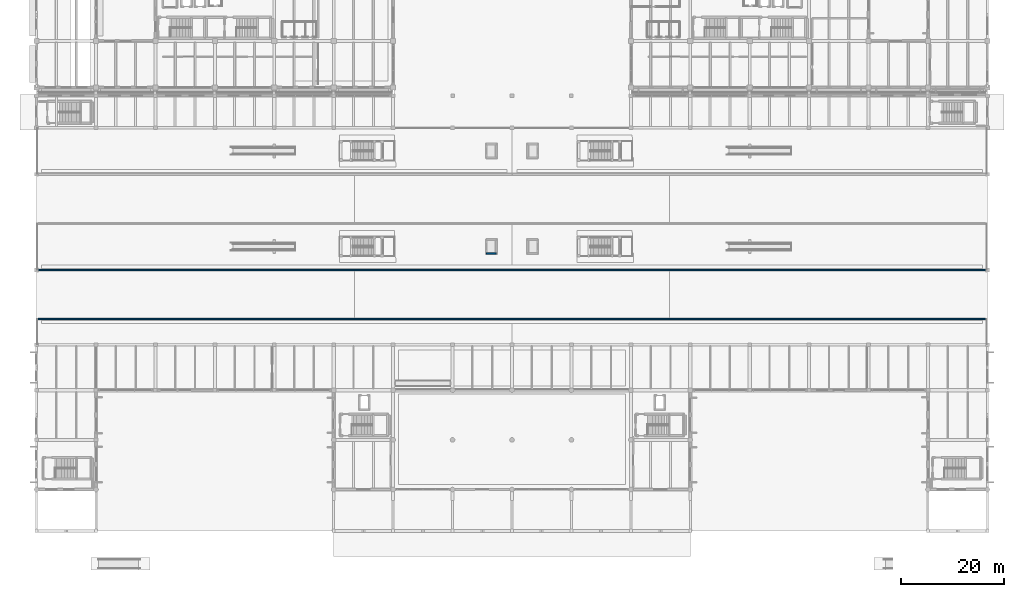
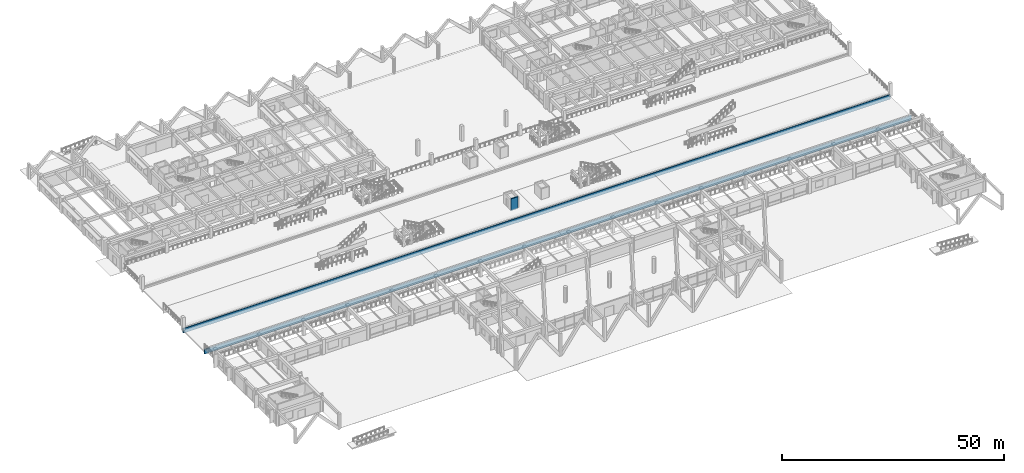
# One storey, part 79 of 109: 3 walls.
"""IFC4 building model written with IfcOpenShell, lengths in metres."""

import ifcopenshell
import ifcopenshell.guid

model = None  # the IFC model being written
_history = None  # IfcOwnerHistory: only IFC2X3 demands one
_inside = {}  # id of a spatial element -> (the spatial element, [elements in it])
_under = {}  # id of a project, library or spatial element -> (it, [spatial elements below it])
_declared = {}  # id of a project -> (the project, [libraries it declares])
_typed = {}  # id of a type object -> (the type object, [elements of that type])
_made_of = {}  # id of a material, layer set ... -> (it, [elements and type objects made of it])


def new_model(schema):
    """Start an empty IFC model of exactly this schema.

    Asked for "IFC4X3", IfcOpenShell would pick the latest addendum, in which some entities
    have other attributes; the version numbers below select the first issue.
    IFC2X3 requires an IfcOwnerHistory on every rooted entity: one is made here for all.
    """
    global model, _history
    if schema == "IFC4X3":
        model = ifcopenshell.file(schema_version=(4, 3, 0, 0))
    else:
        model = ifcopenshell.file(schema=schema)
    _inside.clear()
    _under.clear()
    _declared.clear()
    _typed.clear()
    _made_of.clear()
    _history = None
    if model.schema == "IFC2X3":
        org = make("IfcOrganization", Name="unknown")
        user = make(
            "IfcPersonAndOrganization",
            ThePerson=make("IfcPerson", FamilyName="unknown"),
            TheOrganization=org,
        )
        app = make(
            "IfcApplication",
            ApplicationDeveloper=org,
            Version="unknown",
            ApplicationFullName="unknown",
            ApplicationIdentifier="unknown",
        )
        _history = make(
            "IfcOwnerHistory",
            OwningUser=user,
            OwningApplication=app,
            ChangeAction="ADDED",
            CreationDate=0,
        )
    return model


def make(cls, **values):
    """One entity of the class cls with the attributes given. An attribute that is None is left unset."""
    return model.create_entity(
        cls, **{name: value for name, value in values.items() if value is not None}
    )


def rooted(cls, **values):
    """An entity with a GlobalId (a new one), such as an element, a storey or a relation."""
    return make(cls, GlobalId=ifcopenshell.guid.new(), OwnerHistory=_history, **values)


def si_unit(unit_type, name, prefix=None):
    """IfcSIUnit, for example si_unit("LENGTHUNIT", "METRE", prefix="MILLI")."""
    return make("IfcSIUnit", UnitType=unit_type, Prefix=prefix, Name=name)


def assignment(units):
    """IfcUnitAssignment: the units of a project."""
    return None if units is None else make("IfcUnitAssignment", Units=units)


def point(xyz):
    """IfcCartesianPoint."""
    return None if xyz is None else make("IfcCartesianPoint", Coordinates=xyz)


def direction(xyz):
    """IfcDirection."""
    return None if xyz is None else make("IfcDirection", DirectionRatios=xyz)


def frame(location, z_axis=None, x_axis=None):
    """IfcAxis2Placement3D, a coordinate frame: its origin and axes. An axis left out is left unset."""
    return make(
        "IfcAxis2Placement3D",
        Location=point(location),
        Axis=direction(z_axis),
        RefDirection=direction(x_axis),
    )


def frame_2d(location, x_axis=None):
    """IfcAxis2Placement2D, a coordinate frame in the plane: its origin and x axis."""
    return make(
        "IfcAxis2Placement2D", Location=point(location), RefDirection=direction(x_axis)
    )


def origin():
    """The frame at (0, 0, 0) with its axes left unset."""
    return frame((0.0, 0.0, 0.0))


def place(relative_to, where):
    """IfcLocalPlacement: puts the frame where relative to a parent placement (None: the world)."""
    return make(
        "IfcLocalPlacement", PlacementRelTo=relative_to, RelativePlacement=where
    )


def context(
    kind, dimensions, precision=None, world=None, true_north=None, identifier=None
):
    """IfcGeometricRepresentationContext, for example the 3D "Model" context."""
    return make(
        "IfcGeometricRepresentationContext",
        ContextIdentifier=identifier,
        ContextType=kind,
        CoordinateSpaceDimension=dimensions,
        Precision=precision,
        WorldCoordinateSystem=world,
        TrueNorth=true_north,
    )


def subcontext(parent, identifier, kind, view, scale=None):
    """IfcGeometricRepresentationSubContext, for example "Body" below "Model"."""
    return make(
        "IfcGeometricRepresentationSubContext",
        ContextIdentifier=identifier,
        ContextType=kind,
        ParentContext=parent,
        TargetScale=scale,
        TargetView=view,
    )


def project(units=None, contexts=None):
    """IfcProject with its units and contexts."""
    return rooted(
        "IfcProject",
        Name="project",
        RepresentationContexts=contexts,
        UnitsInContext=assignment(units),
    )


def spatial(cls, under=None, at=None, **own):
    """A site, building, storey or space (cls), placed at a placement, below another one or the project."""
    s = rooted(cls, ObjectPlacement=at, **own)
    if under is not None:
        _under.setdefault(under.id(), (under, []))[1].append(s)
    return s


def profile(cls, at=None, kind="AREA", **sizes):
    """A parametric profile (cls). Its sizes go by their IFC names, for example OverallWidth=200.0."""
    return make(cls, ProfileType=kind, Position=at, **sizes)


def rectangle(**sizes):
    """IfcRectangleProfileDef."""
    return profile("IfcRectangleProfileDef", **sizes)


def extrude(swept, where, along, depth):
    """IfcExtrudedAreaSolid: the profile swept, set in the frame where, extruded along a direction by depth."""
    return make(
        "IfcExtrudedAreaSolid",
        SweptArea=swept,
        Position=where,
        ExtrudedDirection=direction(along),
        Depth=depth,
    )


def shape(context_of_items, identifier, shape_type, items):
    """IfcShapeRepresentation: the items that make up one representation, for example the "Body"."""
    return make(
        "IfcShapeRepresentation",
        ContextOfItems=context_of_items,
        RepresentationIdentifier=identifier,
        RepresentationType=shape_type,
        Items=items,
    )


def material(Name=None, Category=None):
    """IfcMaterial."""
    return make("IfcMaterial", Name=Name, Category=Category)


def layer(
    of_material, thickness, ventilated=None, Name=None, Category=None, Priority=None
):
    """IfcMaterialLayer: one layer of a wall or slab, of a material (None: an air gap)."""
    return make(
        "IfcMaterialLayer",
        Material=of_material,
        LayerThickness=thickness,
        IsVentilated=ventilated,
        Name=Name,
        Category=Category,
        Priority=Priority,
    )


def layer_set(layers, Name=None):
    """IfcMaterialLayerSet."""
    return make("IfcMaterialLayerSet", MaterialLayers=layers, LayerSetName=Name)


def made_of(thing, what):
    """Note that an element or type object is made of a material, layer set ...; save() writes the relation."""
    if what is not None:
        _made_of.setdefault(what.id(), (what, []))[1].append(thing)
    return thing


def type_object(cls, material=None, **own):
    """A type object (cls), such as IfcWallType, which elements share."""
    return made_of(rooted(cls, **own), material)


def element(
    cls,
    number,
    at=None,
    inside=None,
    cuts=None,
    type_object=None,
    material=None,
    context=None,
    identifier="Body",
    shape_type=None,
    held_by="IfcProductDefinitionShape",
    body=None,
    shapes=None,
    **own,
):
    """One element of the class cls, such as IfcWall. Its Tag is "e" and its number.

    at: its placement. inside: the storey or other place that contains it. cuts: it is an
    opening in that element (IfcRelVoidsElement). A single representation is given by context,
    identifier, shape_type and body (its items); several are given by shapes. held_by: the class
    of the entity that holds the representations. save() writes the other relations.
    """
    e = rooted(cls, Tag="e%d" % number, ObjectPlacement=at, **own)
    if body is not None:
        shapes = [shape(context, identifier, shape_type, body)]
    if shapes is not None:
        e.Representation = make(held_by, Representations=shapes)
    if inside is not None:
        _inside.setdefault(inside.id(), (inside, []))[1].append(e)
    if cuts is not None:
        rooted(
            "IfcRelVoidsElement", RelatingBuildingElement=cuts, RelatedOpeningElement=e
        )
    if type_object is not None:
        _typed.setdefault(type_object.id(), (type_object, []))[1].append(e)
    return made_of(e, material)


def aggregate(whole, parts):
    """IfcRelAggregates: a whole, such as a stair, and the parts it consists of."""
    return rooted("IfcRelAggregates", RelatingObject=whole, RelatedObjects=parts)


def save(model, path):
    """Write the relations noted so far, then the file.

    IfcRelAggregates (storeys below a building ...), IfcRelContainedInSpatialStructure (elements
    in a storey), IfcRelDefinesByType, IfcRelAssociatesMaterial and IfcRelDeclares: one each for
    every whole, place, type object, material and project.
    """
    for whole, parts in _under.values():
        aggregate(whole, parts)
    for where, things in _inside.values():
        rooted(
            "IfcRelContainedInSpatialStructure",
            RelatedElements=things,
            RelatingStructure=where,
        )
    for kind, things in _typed.values():
        rooted("IfcRelDefinesByType", RelatedObjects=things, RelatingType=kind)
    for what, things in _made_of.values():
        rooted("IfcRelAssociatesMaterial", RelatedObjects=things, RelatingMaterial=what)
    for by, libraries in _declared.values():
        rooted("IfcRelDeclares", RelatingContext=by, RelatedDefinitions=libraries)
    model.write(path)


model = new_model("IFC4")

# Units and contexts
model_context = context("Model", 3, precision=1e-05, world=origin(), true_north=direction((0.0, 1.0)))
body_context = subcontext(model_context, "Body", "Model", "MODEL_VIEW")
ifc_project = project(units=[si_unit("LENGTHUNIT", "METRE"), si_unit("AREAUNIT", "SQUARE_METRE"), si_unit("VOLUMEUNIT", "CUBIC_METRE"), si_unit("PLANEANGLEUNIT", "RADIAN"), si_unit("MASSUNIT", "GRAM", prefix="KILO")], contexts=[model_context])

# Site, building, storey
site_placement = place(None, origin())
site = spatial("IfcSite", under=ifc_project, at=site_placement, CompositionType="ELEMENT")
building_placement = place(site_placement, origin())
building = spatial("IfcBuilding", under=site, at=building_placement, Name="Ologun Quay Terminus", CompositionType="ELEMENT")
storey_placement = place(building_placement, origin())
storey = spatial("IfcBuildingStorey", under=building, at=storey_placement, Name="L00", CompositionType="ELEMENT", Elevation=0.0)

# Walls
ifc_material = material(Name="Concrete C40/50", Category="concrete")
ifc_layer = layer(ifc_material, 0.300048828125)
ifc_layer_set = layer_set([ifc_layer], Name="Concrete C40/50")
wall_type = type_object("IfcWallType", Name="Lift Shaft Structural Shear Wall 300", PredefinedType="SHEAR", material=ifc_layer_set)
wall_placement = place(storey_placement, frame((87.050048828125, 53.64990234375, 0.949951171875), z_axis=(0.0, 0.0, 1.0), x_axis=(1.0, 0.0, 0.0)))
element("IfcWall", 1, at=wall_placement, inside=storey, type_object=wall_type, Name="Lift PL-P1 Shaft Wall S L00", PredefinedType="SHEAR", context=body_context, shape_type="SweptSolid", body=[
    extrude(rectangle(XDim=1.89990234375, YDim=0.300048828125, at=frame_2d((0.949951171875, 0.0))), origin(), (0.0, 0.0, 1.0), 3.25),
])
for number, where, z_axis, x_axis, name in (
    (2, (0.0, 50.5, -0.320068359375), (0.0, 0.0, 1.0), (1.0, 0.0, 0.0), "Platform Retaining Edge Wall Platform 1 Y50.5"),
    (3, (0.0, 41.0, -0.320068359375), (0.0, 0.0, 1.0), (1.0, 0.0, 0.0), "Platform Retaining Edge Wall Platform 3 Y41.0"),
):
    element("IfcWall", number, at=place(storey_placement, frame(where, z_axis=z_axis, x_axis=x_axis)), inside=storey, type_object=wall_type, Name=name, PredefinedType="SHEAR", context=body_context, shape_type="SweptSolid", body=[
        extrude(rectangle(XDim=184.0, YDim=0.300048828125, at=frame_2d((92.0, 0.0))), origin(), (0.0, 0.0, 1.0), 1.27001953125),
    ])

save(model, "model.ifc")
